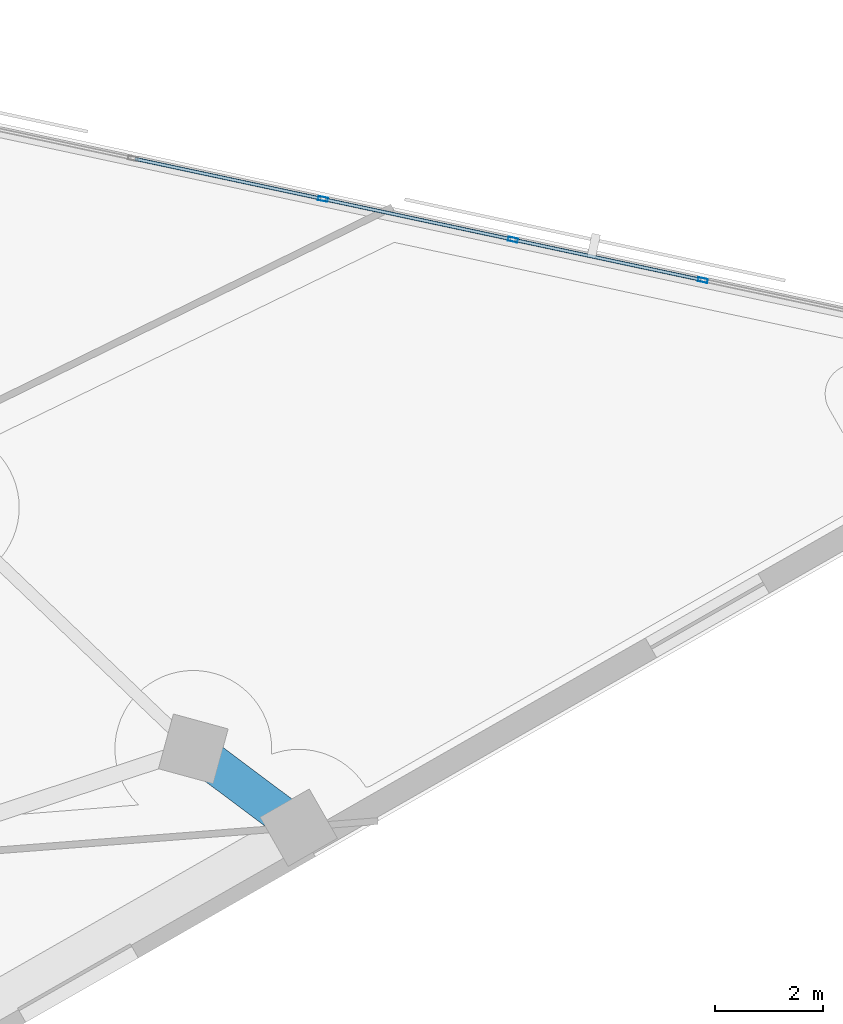
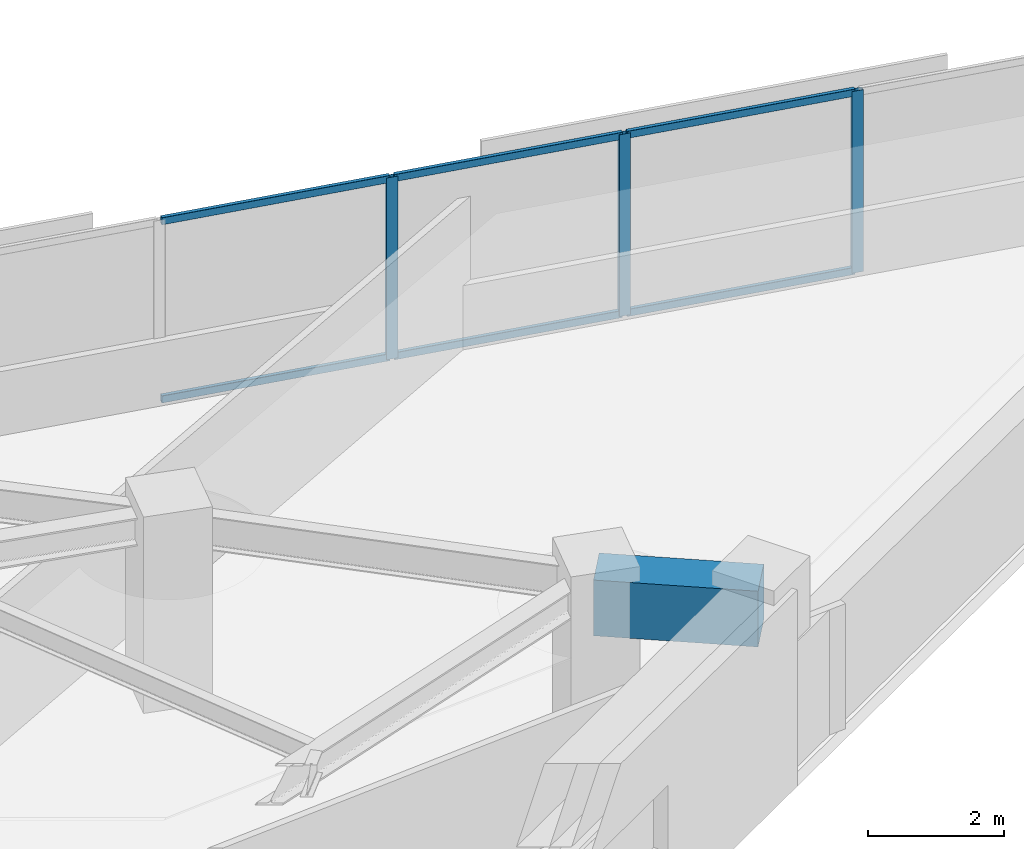
# One storey, part 5 of 14: 9 members, 1 beam, 1 element without a shape of its own.
"""IFC4 building model written with IfcOpenShell, lengths in metres."""

import ifcopenshell
import ifcopenshell.guid

model = None  # the IFC model being written
_history = None  # IfcOwnerHistory: only IFC2X3 demands one
_inside = {}  # id of a spatial element -> (the spatial element, [elements in it])
_under = {}  # id of a project, library or spatial element -> (it, [spatial elements below it])
_declared = {}  # id of a project -> (the project, [libraries it declares])
_typed = {}  # id of a type object -> (the type object, [elements of that type])
_made_of = {}  # id of a material, layer set ... -> (it, [elements and type objects made of it])


def new_model(schema):
    """Start an empty IFC model of exactly this schema.

    Asked for "IFC4X3", IfcOpenShell would pick the latest addendum, in which some entities
    have other attributes; the version numbers below select the first issue.
    IFC2X3 requires an IfcOwnerHistory on every rooted entity: one is made here for all.
    """
    global model, _history
    if schema == "IFC4X3":
        model = ifcopenshell.file(schema_version=(4, 3, 0, 0))
    else:
        model = ifcopenshell.file(schema=schema)
    _inside.clear()
    _under.clear()
    _declared.clear()
    _typed.clear()
    _made_of.clear()
    _history = None
    if model.schema == "IFC2X3":
        org = make("IfcOrganization", Name="unknown")
        user = make(
            "IfcPersonAndOrganization",
            ThePerson=make("IfcPerson", FamilyName="unknown"),
            TheOrganization=org,
        )
        app = make(
            "IfcApplication",
            ApplicationDeveloper=org,
            Version="unknown",
            ApplicationFullName="unknown",
            ApplicationIdentifier="unknown",
        )
        _history = make(
            "IfcOwnerHistory",
            OwningUser=user,
            OwningApplication=app,
            ChangeAction="ADDED",
            CreationDate=0,
        )
    return model


def make(cls, **values):
    """One entity of the class cls with the attributes given. An attribute that is None is left unset."""
    return model.create_entity(
        cls, **{name: value for name, value in values.items() if value is not None}
    )


def rooted(cls, **values):
    """An entity with a GlobalId (a new one), such as an element, a storey or a relation."""
    return make(cls, GlobalId=ifcopenshell.guid.new(), OwnerHistory=_history, **values)


def si_unit(unit_type, name, prefix=None):
    """IfcSIUnit, for example si_unit("LENGTHUNIT", "METRE", prefix="MILLI")."""
    return make("IfcSIUnit", UnitType=unit_type, Prefix=prefix, Name=name)


def assignment(units):
    """IfcUnitAssignment: the units of a project."""
    return None if units is None else make("IfcUnitAssignment", Units=units)


def point(xyz):
    """IfcCartesianPoint."""
    return None if xyz is None else make("IfcCartesianPoint", Coordinates=xyz)


def direction(xyz):
    """IfcDirection."""
    return None if xyz is None else make("IfcDirection", DirectionRatios=xyz)


def frame(location, z_axis=None, x_axis=None):
    """IfcAxis2Placement3D, a coordinate frame: its origin and axes. An axis left out is left unset."""
    return make(
        "IfcAxis2Placement3D",
        Location=point(location),
        Axis=direction(z_axis),
        RefDirection=direction(x_axis),
    )


def frame_2d(location, x_axis=None):
    """IfcAxis2Placement2D, a coordinate frame in the plane: its origin and x axis."""
    return make(
        "IfcAxis2Placement2D", Location=point(location), RefDirection=direction(x_axis)
    )


def origin():
    """The frame at (0, 0, 0) with its axes left unset."""
    return frame((0.0, 0.0, 0.0))


def origin_2d():
    """The frame at (0, 0) in the plane with its x axis left unset."""
    return frame_2d((0.0, 0.0))


def place(relative_to, where):
    """IfcLocalPlacement: puts the frame where relative to a parent placement (None: the world)."""
    return make(
        "IfcLocalPlacement", PlacementRelTo=relative_to, RelativePlacement=where
    )


def context(
    kind, dimensions, precision=None, world=None, true_north=None, identifier=None
):
    """IfcGeometricRepresentationContext, for example the 3D "Model" context."""
    return make(
        "IfcGeometricRepresentationContext",
        ContextIdentifier=identifier,
        ContextType=kind,
        CoordinateSpaceDimension=dimensions,
        Precision=precision,
        WorldCoordinateSystem=world,
        TrueNorth=true_north,
    )


def subcontext(parent, identifier, kind, view, scale=None):
    """IfcGeometricRepresentationSubContext, for example "Body" below "Model"."""
    return make(
        "IfcGeometricRepresentationSubContext",
        ContextIdentifier=identifier,
        ContextType=kind,
        ParentContext=parent,
        TargetScale=scale,
        TargetView=view,
    )


def project(units=None, contexts=None):
    """IfcProject with its units and contexts."""
    return rooted(
        "IfcProject",
        Name="project",
        RepresentationContexts=contexts,
        UnitsInContext=assignment(units),
    )


def spatial(cls, under=None, at=None, **own):
    """A site, building, storey or space (cls), placed at a placement, below another one or the project."""
    s = rooted(cls, ObjectPlacement=at, **own)
    if under is not None:
        _under.setdefault(under.id(), (under, []))[1].append(s)
    return s


def profile(cls, at=None, kind="AREA", **sizes):
    """A parametric profile (cls). Its sizes go by their IFC names, for example OverallWidth=200.0."""
    return make(cls, ProfileType=kind, Position=at, **sizes)


def rectangle(**sizes):
    """IfcRectangleProfileDef."""
    return profile("IfcRectangleProfileDef", **sizes)


def hollow_rectangle(**sizes):
    """IfcRectangleHollowProfileDef."""
    return profile("IfcRectangleHollowProfileDef", **sizes)


def extrude(swept, where, along, depth):
    """IfcExtrudedAreaSolid: the profile swept, set in the frame where, extruded along a direction by depth."""
    return make(
        "IfcExtrudedAreaSolid",
        SweptArea=swept,
        Position=where,
        ExtrudedDirection=direction(along),
        Depth=depth,
    )


def shape(context_of_items, identifier, shape_type, items):
    """IfcShapeRepresentation: the items that make up one representation, for example the "Body"."""
    return make(
        "IfcShapeRepresentation",
        ContextOfItems=context_of_items,
        RepresentationIdentifier=identifier,
        RepresentationType=shape_type,
        Items=items,
    )


def material(Name=None, Category=None):
    """IfcMaterial."""
    return make("IfcMaterial", Name=Name, Category=Category)


def material_profile(
    of_material, cross_section, Name=None, Category=None, Priority=None
):
    """IfcMaterialProfile: a cross section and its material."""
    return make(
        "IfcMaterialProfile",
        Name=Name,
        Material=of_material,
        Profile=cross_section,
        Priority=Priority,
        Category=Category,
    )


def profile_set(profiles, Name=None, composite=None):
    """IfcMaterialProfileSet."""
    return make(
        "IfcMaterialProfileSet",
        Name=Name,
        MaterialProfiles=profiles,
        CompositeProfile=composite,
    )


def made_of(thing, what):
    """Note that an element or type object is made of a material, layer set ...; save() writes the relation."""
    if what is not None:
        _made_of.setdefault(what.id(), (what, []))[1].append(thing)
    return thing


def type_object(cls, material=None, **own):
    """A type object (cls), such as IfcWallType, which elements share."""
    return made_of(rooted(cls, **own), material)


def element(
    cls,
    number,
    at=None,
    inside=None,
    cuts=None,
    type_object=None,
    material=None,
    context=None,
    identifier="Body",
    shape_type=None,
    held_by="IfcProductDefinitionShape",
    body=None,
    shapes=None,
    **own,
):
    """One element of the class cls, such as IfcWall. Its Tag is "e" and its number.

    at: its placement. inside: the storey or other place that contains it. cuts: it is an
    opening in that element (IfcRelVoidsElement). A single representation is given by context,
    identifier, shape_type and body (its items); several are given by shapes. held_by: the class
    of the entity that holds the representations. save() writes the other relations.
    """
    e = rooted(cls, Tag="e%d" % number, ObjectPlacement=at, **own)
    if body is not None:
        shapes = [shape(context, identifier, shape_type, body)]
    if shapes is not None:
        e.Representation = make(held_by, Representations=shapes)
    if inside is not None:
        _inside.setdefault(inside.id(), (inside, []))[1].append(e)
    if cuts is not None:
        rooted(
            "IfcRelVoidsElement", RelatingBuildingElement=cuts, RelatedOpeningElement=e
        )
    if type_object is not None:
        _typed.setdefault(type_object.id(), (type_object, []))[1].append(e)
    return made_of(e, material)


def aggregate(whole, parts):
    """IfcRelAggregates: a whole, such as a stair, and the parts it consists of."""
    return rooted("IfcRelAggregates", RelatingObject=whole, RelatedObjects=parts)


def save(model, path):
    """Write the relations noted so far, then the file.

    IfcRelAggregates (storeys below a building ...), IfcRelContainedInSpatialStructure (elements
    in a storey), IfcRelDefinesByType, IfcRelAssociatesMaterial and IfcRelDeclares: one each for
    every whole, place, type object, material and project.
    """
    for whole, parts in _under.values():
        aggregate(whole, parts)
    for where, things in _inside.values():
        rooted(
            "IfcRelContainedInSpatialStructure",
            RelatedElements=things,
            RelatingStructure=where,
        )
    for kind, things in _typed.values():
        rooted("IfcRelDefinesByType", RelatedObjects=things, RelatingType=kind)
    for what, things in _made_of.values():
        rooted("IfcRelAssociatesMaterial", RelatedObjects=things, RelatingMaterial=what)
    for by, libraries in _declared.values():
        rooted("IfcRelDeclares", RelatingContext=by, RelatedDefinitions=libraries)
    model.write(path)


model = new_model("IFC4")

# Units and contexts
model_context = context("Model", 3, precision=1e-05, world=origin(), true_north=direction((0.0, 1.0)))
body_context = subcontext(model_context, "Body", "Model", "MODEL_VIEW")
ifc_project = project(units=[si_unit("LENGTHUNIT", "METRE"), si_unit("AREAUNIT", "SQUARE_METRE"), si_unit("VOLUMEUNIT", "CUBIC_METRE"), si_unit("PLANEANGLEUNIT", "RADIAN"), si_unit("MASSUNIT", "GRAM", prefix="KILO")], contexts=[model_context])

# Site, building, storey
site_placement = place(None, origin())
site = spatial("IfcSite", under=ifc_project, at=site_placement, CompositionType="ELEMENT")
building_placement = place(site_placement, origin())
building = spatial("IfcBuilding", under=site, at=building_placement, Name="Narakoshi Arena Tower", CompositionType="ELEMENT")
storey_placement = place(building_placement, frame((0.0, 0.0, 211.4599609375)))
storey = spatial("IfcBuildingStorey", under=building, at=storey_placement, Name="L57", CompositionType="ELEMENT", Elevation=211.4599609375)

# Beam
ifc_material_1 = material(Name="Concrete C60/75", Category="concrete")
ifc_material_profile_1 = material_profile(ifc_material_1, rectangle(XDim=0.699951171875, YDim=1.0, at=origin_2d()), Name="RCB700x1000")
ifc_profile_set_1 = profile_set([ifc_material_profile_1], Name="Concrete C60/75")
beam_type = type_object("IfcBeamType", Name="BM-CPL-1000", PredefinedType="BEAM", material=ifc_profile_set_1)
beam_placement = place(storey_placement, frame((104.619873046875, 47.550048828125, 2.760009765625), z_axis=(-0.800768849668, 0.59897349641, 0.0), x_axis=(-0.59897349641, -0.800768849668, 0.0)))
element("IfcBeam", 1, at=beam_placement, inside=storey, type_object=beam_type, Name="L57 Perimeter Edge Girder 03", PredefinedType="BEAM", context=body_context, shape_type="SweptSolid", body=[
    extrude(rectangle(XDim=0.699951171875, YDim=1.0, at=origin_2d()), origin(), (0.0, 0.0, 1.0), 2.4365234375),
])

# Curtain wall, members
ifc_material_2 = material(Name="Anodised bronze aluminium 6063-T6", Category="aluminium")
curtain_wall_type = type_object("IfcCurtainWallType", Name="CW-HYP-MID", PredefinedType="NOTDEFINED", material=ifc_material_2)
curtain_wall_placement = place(storey_placement, origin())
curtain_wall = element("IfcCurtainWall", 2, at=curtain_wall_placement, inside=storey, type_object=curtain_wall_type, Name="L57 Folded Hypotenuse Curtain Wall 1-1", PredefinedType="NOTDEFINED")
ifc_material_profile_2 = material_profile(ifc_material_2, hollow_rectangle(XDim=0.074951171875, YDim=0.179931640625, WallThickness=0.00390625, OuterFilletRadius=0.0048828125, at=origin_2d()), Name="MUL180x75x4")
ifc_profile_set_2 = profile_set([ifc_material_profile_2], Name="Anodised bronze aluminium 6063-T6")
member_type_1 = type_object("IfcMemberType", Name="MEM-MUL-180", PredefinedType="MULLION", material=ifc_profile_set_2)
member_1_placement = place(storey_placement, frame((112.096435546875, 57.680908203125, 0.0), z_axis=(0.0, 0.0, 1.0), x_axis=(-0.208899163248, -0.977937185914, 0.0)))
member_1 = element("IfcMember", 3, at=member_1_placement, type_object=member_type_1, Name="CW-02 mullion 2", PredefinedType="MULLION", context=body_context, shape_type="SweptSolid", body=[
    extrude(hollow_rectangle(XDim=0.074951171875, YDim=0.179931640625, WallThickness=0.00390625, OuterFilletRadius=0.0048828125, at=origin_2d()), origin(), (0.0, 0.0, 1.0), 3.260009765625),
])
member_2_placement = place(storey_placement, frame((108.582275390625, 58.431640625, 0.0), z_axis=(0.0, 0.0, 1.0), x_axis=(-0.208899163248, -0.977937185914, 0.0)))
member_2 = element("IfcMember", 4, at=member_2_placement, type_object=member_type_1, Name="CW-02 mullion 3", PredefinedType="MULLION", context=body_context, shape_type="SweptSolid", body=[
    extrude(hollow_rectangle(XDim=0.074951171875, YDim=0.179931640625, WallThickness=0.00390625, OuterFilletRadius=0.0048828125, at=origin_2d()), origin(), (0.0, 0.0, 1.0), 3.260009765625),
])
member_3_placement = place(storey_placement, frame((105.068115234375, 59.182373046875, 0.0), z_axis=(0.0, 0.0, 1.0), x_axis=(-0.208899163248, -0.977937185914, 0.0)))
member_3 = element("IfcMember", 5, at=member_3_placement, type_object=member_type_1, Name="CW-02 mullion 4", PredefinedType="MULLION", context=body_context, shape_type="SweptSolid", body=[
    extrude(hollow_rectangle(XDim=0.074951171875, YDim=0.179931640625, WallThickness=0.00390625, OuterFilletRadius=0.0048828125, at=origin_2d()), origin(), (0.0, 0.0, 1.0), 3.260009765625),
])
ifc_material_profile_3 = material_profile(ifc_material_2, hollow_rectangle(XDim=0.06494140625, YDim=0.1298828125, WallThickness=0.00390625, OuterFilletRadius=0.0048828125, at=origin_2d()), Name="TRN130x65x4")
ifc_profile_set_3 = profile_set([ifc_material_profile_3], Name="Anodised bronze aluminium 6063-T6")
member_type_2 = type_object("IfcMemberType", Name="MEM-TRN-130", PredefinedType="USERDEFINED", material=ifc_profile_set_3)
member_4_placement = place(storey_placement, frame((112.059814453125, 57.688720703125, 0.032470703125), z_axis=(-0.977932198567, 0.20892250957, 0.0), x_axis=(-0.20892250957, -0.977932198567, 0.0)))
member_4 = element("IfcMember", 6, at=member_4_placement, type_object=member_type_2, Name="CW-02 transom 2.1", ObjectType="TRANSOM", PredefinedType="USERDEFINED", context=body_context, shape_type="SweptSolid", body=[
    extrude(hollow_rectangle(XDim=0.06494140625, YDim=0.1298828125, WallThickness=0.00390625, OuterFilletRadius=0.0048828125, at=origin_2d()), origin(), (0.0, 0.0, 1.0), 3.5185546875),
])
member_5_placement = place(storey_placement, frame((112.059814453125, 57.688720703125, 3.2275390625), z_axis=(-0.977932198567, 0.20892250957, 0.0), x_axis=(-0.20892250957, -0.977932198567, 0.0)))
member_5 = element("IfcMember", 7, at=member_5_placement, type_object=member_type_2, Name="CW-02 transom 2.2", ObjectType="TRANSOM", PredefinedType="USERDEFINED", context=body_context, shape_type="SweptSolid", body=[
    extrude(hollow_rectangle(XDim=0.06494140625, YDim=0.1298828125, WallThickness=0.00390625, OuterFilletRadius=0.0048828125, at=origin_2d()), origin(), (0.0, 0.0, 1.0), 3.5185546875),
])
member_6_placement = place(storey_placement, frame((108.545654296875, 58.439453125, 0.032470703125), z_axis=(-0.977946373003, 0.208856150329, 0.0), x_axis=(-0.208856150329, -0.977946373003, 0.0)))
member_6 = element("IfcMember", 8, at=member_6_placement, type_object=member_type_2, Name="CW-02 transom 3.1", ObjectType="TRANSOM", PredefinedType="USERDEFINED", context=body_context, shape_type="SweptSolid", body=[
    extrude(hollow_rectangle(XDim=0.06494140625, YDim=0.1298828125, WallThickness=0.00390625, OuterFilletRadius=0.0048828125, at=origin_2d()), origin(), (0.0, 0.0, 1.0), 3.5185546875),
])
member_7_placement = place(storey_placement, frame((108.545654296875, 58.439453125, 3.2275390625), z_axis=(-0.977946373003, 0.208856150329, 0.0), x_axis=(-0.208856150329, -0.977946373003, 0.0)))
member_7 = element("IfcMember", 9, at=member_7_placement, type_object=member_type_2, Name="CW-02 transom 3.2", ObjectType="TRANSOM", PredefinedType="USERDEFINED", context=body_context, shape_type="SweptSolid", body=[
    extrude(hollow_rectangle(XDim=0.06494140625, YDim=0.1298828125, WallThickness=0.00390625, OuterFilletRadius=0.0048828125, at=origin_2d()), origin(), (0.0, 0.0, 1.0), 3.5185546875),
])
member_8_placement = place(storey_placement, frame((105.031494140625, 59.190185546875, 0.032470703125), z_axis=(-0.977943345954, 0.208870323659, 0.0), x_axis=(-0.208870323659, -0.977943345954, 0.0)))
member_8 = element("IfcMember", 10, at=member_8_placement, type_object=member_type_2, Name="CW-02 transom 4.1", ObjectType="TRANSOM", PredefinedType="USERDEFINED", context=body_context, shape_type="SweptSolid", body=[
    extrude(hollow_rectangle(XDim=0.06494140625, YDim=0.1298828125, WallThickness=0.00390625, OuterFilletRadius=0.0048828125, at=origin_2d()), origin(), (0.0, 0.0, 1.0), 3.518310546875),
])
member_9_placement = place(storey_placement, frame((105.031494140625, 59.190185546875, 3.2275390625), z_axis=(-0.977943345954, 0.208870323659, 0.0), x_axis=(-0.208870323659, -0.977943345954, 0.0)))
member_9 = element("IfcMember", 11, at=member_9_placement, type_object=member_type_2, Name="CW-02 transom 4.2", ObjectType="TRANSOM", PredefinedType="USERDEFINED", context=body_context, shape_type="SweptSolid", body=[
    extrude(hollow_rectangle(XDim=0.06494140625, YDim=0.1298828125, WallThickness=0.00390625, OuterFilletRadius=0.0048828125, at=origin_2d()), origin(), (0.0, 0.0, 1.0), 3.518310546875),
])
aggregate(curtain_wall, [member_1, member_2, member_3, member_4, member_5, member_6, member_7, member_8, member_9])

save(model, "model.ifc")
